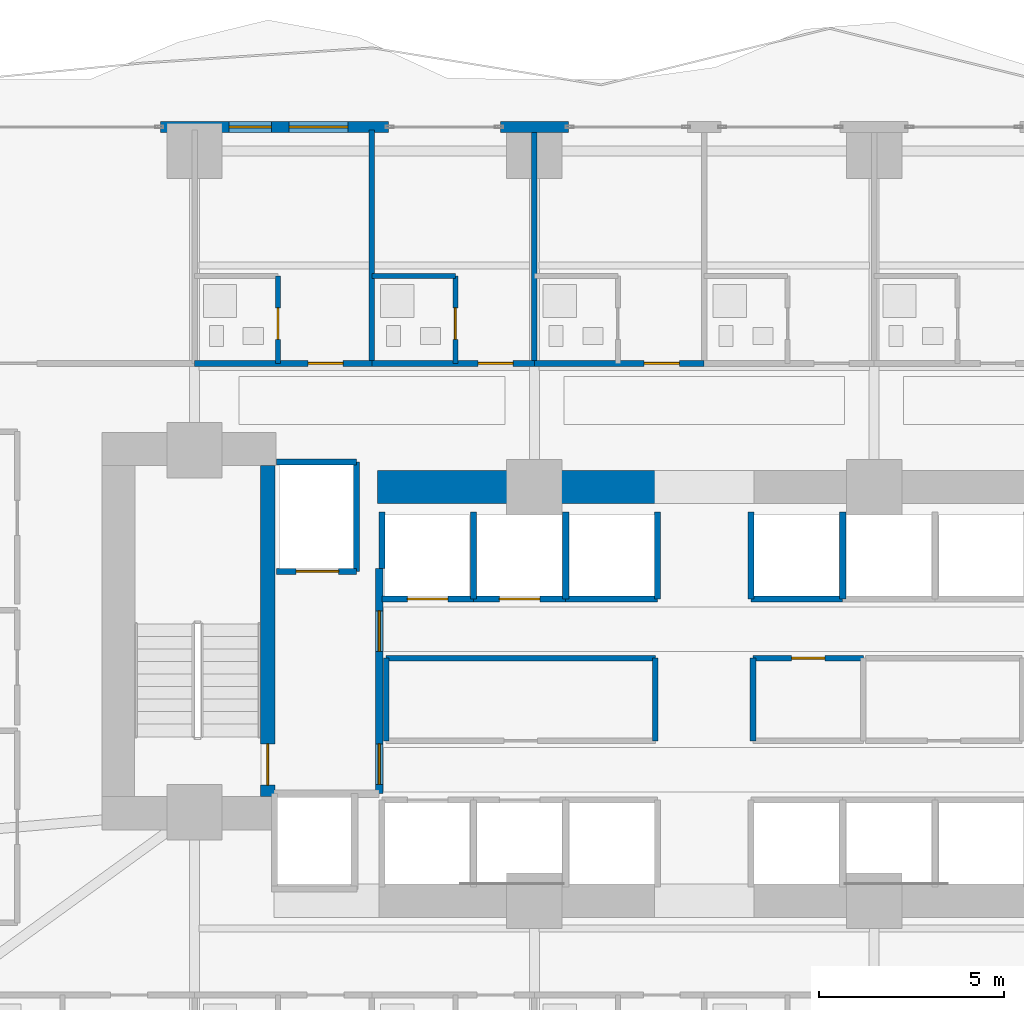
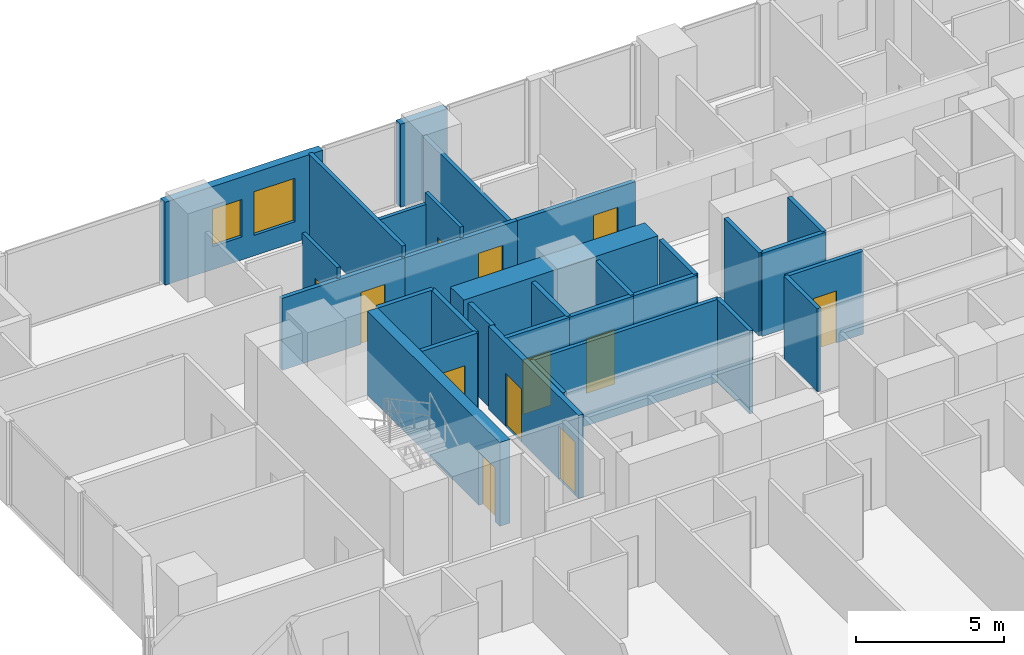
# One storey, part 22 of 29: 31 walls, 12 doors, 2 windows, 14 openings.
"""IFC4 building model written with IfcOpenShell, lengths in metres."""

from ifc_helpers import new_model, si_unit, direction, frame, frame_2d, origin, place, context, subcontext, project, spatial, rectangle, extrude, material, layer, layer_set, type_object, element, fill, save


model = new_model("IFC4")

# Units and contexts
model_context = context("Model", 3, precision=1e-05, world=origin(), true_north=direction((0.0, 1.0)))
body_context = subcontext(model_context, "Body", "Model", "MODEL_VIEW")
ifc_project = project(units=[si_unit("LENGTHUNIT", "METRE"), si_unit("AREAUNIT", "SQUARE_METRE"), si_unit("VOLUMEUNIT", "CUBIC_METRE"), si_unit("PLANEANGLEUNIT", "RADIAN"), si_unit("MASSUNIT", "GRAM", prefix="KILO")], contexts=[model_context])

# Site, building, storey
site_placement = place(None, origin())
site = spatial("IfcSite", under=ifc_project, at=site_placement, CompositionType="ELEMENT")
building_placement = place(site_placement, origin())
building = spatial("IfcBuilding", under=site, at=building_placement, Name="Zuhayl Quay Hotel", CompositionType="ELEMENT")
storey_placement = place(building_placement, frame((0.0, 0.0, 60.449951171875)))
storey = spatial("IfcBuildingStorey", under=building, at=storey_placement, Name="L14", CompositionType="ELEMENT", Elevation=60.449951171875)

# Wall
ifc_material_1 = material(Name="Concrete C70/85", Category="concrete")
ifc_layer_1 = layer(ifc_material_1, 0.89990234375, Name="Concrete C70/85", Category="concrete")
ifc_layer_set_1 = layer_set([ifc_layer_1], Name="Concrete C70/85")
wall_type_1 = type_object("IfcWallType", Name="WL_CORE_900", PredefinedType="SHEAR", material=ifc_layer_set_1)
wall_1_placement = place(storey_placement, frame((-8.85009765625, 13.35009765625, 0.0), z_axis=(0.0, 0.0, 1.0), x_axis=(1.0, 0.0, 0.0)))
element("IfcWall", 1, at=wall_1_placement, inside=storey, type_object=wall_type_1, Name="L14 Core Shear Wall CW_NC_W", PredefinedType="SHEAR", context=body_context, shape_type="SweptSolid", body=[
    extrude(rectangle(XDim=7.60009765625, YDim=0.89990234375, at=frame_2d((3.800048828125, 0.0))), origin(), (0.0, 0.0, 1.0), 3.429931640625),
])

# Wall, openings, windows
ifc_material_2 = material(Name="Precast concrete C45/55", Category="concrete")
ifc_layer_2 = layer(ifc_material_2, 0.300048828125, Name="Precast concrete C45/55", Category="concrete")
ifc_layer_set_2 = layer_set([ifc_layer_2], Name="Precast concrete C45/55")
wall_type_2 = type_object("IfcWallType", Name="WL_EXT_300", PredefinedType="STANDARD", material=ifc_layer_set_2)
wall_2_placement = place(storey_placement, frame((-14.719970703125, 23.10009765625, 0.0), z_axis=(0.0, 0.0, 1.0), x_axis=(1.0, 0.0, 0.0)))
wall_2 = element("IfcWall", 2, at=wall_2_placement, inside=storey, type_object=wall_type_2, Name="L14 Exterior Precast Wall ENV_L14_N_EW2", PredefinedType="STANDARD", context=body_context, shape_type="SweptSolid", body=[
    extrude(rectangle(XDim=6.169921875, YDim=0.300048828125, at=frame_2d((3.0849609375, 0.0))), origin(), (0.0, 0.0, 1.0), 3.429931640625),
])
opening_1_placement = place(wall_2_placement, frame((3.47998046875, 0.0, 0.85009765625)))
opening_1 = element("IfcOpeningElement", 3, at=opening_1_placement, cuts=wall_2, Name="Opening W01", PredefinedType="OPENING", context=body_context, shape_type="SweptSolid", body=[
    extrude(rectangle(XDim=1.60009765625, YDim=1.800048828125, at=frame_2d((0.800048828125, 0.89990234375))), frame((0.0, 0.159912109375, 0.0), z_axis=(0.0, -1.0, 0.0), x_axis=(1.0, 0.0, 0.0)), (0.0, 0.0, 1.0), 0.320068359375),
])
opening_2_placement = place(wall_2_placement, frame((1.85009765625, 0.0, 0.949951171875)))
opening_2 = element("IfcOpeningElement", 4, at=opening_2_placement, cuts=wall_2, Name="Opening W01N", PredefinedType="OPENING", context=body_context, shape_type="SweptSolid", body=[
    extrude(rectangle(XDim=1.14990234375, YDim=1.550048828125, at=frame_2d((0.574951171875, 0.77490234375))), frame((0.0, 0.159912109375, 0.0), z_axis=(0.0, -1.0, 0.0), x_axis=(1.0, 0.0, 0.0)), (0.0, 0.0, 1.0), 0.320068359375),
])
ifc_material_3 = material(Name="Dark Ceramic-Fritted Solar Glass", Category="glass")
window_type_1 = type_object("IfcWindowType", Name="WN_NOTCH_1350", PartitioningType="SINGLE_PANEL", PredefinedType="WINDOW", material=ifc_material_3)
window_1_placement = place(opening_2_placement, origin())
window_1 = element("IfcWindow", 5, at=window_1_placement, inside=storey, type_object=window_type_1, Name="L14 Operable Facade Window 2-1", OverallHeight=1.550048828125, OverallWidth=1.14990234375, PartitioningType="SINGLE_PANEL", PredefinedType="WINDOW", context=body_context, shape_type="SweptSolid", body=[
    extrude(rectangle(XDim=1.14990234375, YDim=1.550048828125, at=frame_2d((0.574951171875, 0.77490234375))), frame((0.0, 0.030029296875, 0.0), z_axis=(0.0, -1.0, 0.0), x_axis=(1.0, 0.0, 0.0)), (0.0, 0.0, 1.0), 0.06005859375),
])
fill(opening_2, window_1)
window_type_2 = type_object("IfcWindowType", Name="WN_OPERABLE_1600", PartitioningType="DOUBLE_PANEL_VERTICAL", PredefinedType="WINDOW", material=ifc_material_3)
window_2_placement = place(opening_1_placement, origin())
window_2 = element("IfcWindow", 6, at=window_2_placement, inside=storey, type_object=window_type_2, Name="L14 North Operable Casement Window", OverallHeight=1.800048828125, OverallWidth=1.60009765625, PartitioningType="SINGLE_PANEL", PredefinedType="WINDOW", context=body_context, shape_type="SweptSolid", body=[
    extrude(rectangle(XDim=1.60009765625, YDim=1.800048828125, at=frame_2d((0.800048828125, 0.89990234375))), frame((0.0, 0.030029296875, 0.0), z_axis=(0.0, -1.0, 0.0), x_axis=(1.0, 0.0, 0.0)), (0.0, 0.0, 1.0), 0.06005859375),
])
fill(opening_1, window_2)

# Wall
wall_3_placement = place(storey_placement, frame((-5.52001953125, 23.10009765625, 0.0), z_axis=(0.0, 0.0, 1.0), x_axis=(1.0, 0.0, 0.0)))
element("IfcWall", 7, at=wall_3_placement, inside=storey, type_object=wall_type_2, Name="L14 Exterior Precast Wall ENV_L14_N_EW3", PredefinedType="STANDARD", context=body_context, shape_type="SweptSolid", body=[
    extrude(rectangle(XDim=1.840087890625, YDim=0.300048828125, at=frame_2d((0.919921875, 0.0))), origin(), (0.0, 0.0, 1.0), 3.429931640625),
])

# Wall, opening, door
ifc_material_4 = material(Name="Acoustic Gypsum Partition STC-58")
ifc_layer_3 = layer(ifc_material_4, 0.14990234375, Name="Acoustic Gypsum Partition STC-58")
ifc_layer_set_3 = layer_set([ifc_layer_3], Name="Acoustic Gypsum Partition STC-58")
wall_type_3 = type_object("IfcWallType", Name="WL_PART_150", PredefinedType="PARTITIONING", material=ifc_layer_set_3)
wall_4_placement = place(storey_placement, frame((1.320068359375, 8.719970703125, 0.0), z_axis=(0.0, 0.0, 1.0), x_axis=(1.0, 0.0, 0.0)))
wall_4 = element("IfcWall", 8, at=wall_4_placement, inside=storey, type_object=wall_type_3, Name="L14 Partition IW_L14_CORE_IT_N", PredefinedType="PARTITIONING", context=body_context, shape_type="SweptSolid", body=[
    extrude(rectangle(XDim=2.989990234375, YDim=0.14990234375, at=frame_2d((1.4951171875, 0.0))), origin(), (0.0, 0.0, 1.0), 3.429931640625),
])
opening_3_placement = place(wall_4_placement, frame((1.044921875, 0.0, 0.0)))
opening_3 = element("IfcOpeningElement", 9, at=opening_3_placement, cuts=wall_4, Name="Opening D06", PredefinedType="OPENING", context=body_context, shape_type="SweptSolid", body=[
    extrude(rectangle(XDim=0.89990234375, YDim=2.14990234375, at=frame_2d((0.449951171875, 1.074951171875))), frame((0.0, 0.0849609375, 0.0), z_axis=(0.0, -1.0, 0.0), x_axis=(1.0, 0.0, 0.0)), (0.0, 0.0, 1.0), 0.169921875),
])
ifc_material_5 = material(Name="Steel ASTM A992 Grade 50", Category="steel")
door_type_1 = type_object("IfcDoorType", Name="DR_INT_900", OperationType="NOTDEFINED", PredefinedType="DOOR", material=ifc_material_5)
door_1_placement = place(opening_3_placement, origin())
door_1 = element("IfcDoor", 10, at=door_1_placement, inside=storey, type_object=door_type_1, Name="L14 Telecom Closet Door", OperationType="SINGLE_SWING_LEFT", OverallHeight=2.14990234375, OverallWidth=0.89990234375, PredefinedType="DOOR", context=body_context, shape_type="SweptSolid", body=[
    extrude(rectangle(XDim=0.89990234375, YDim=2.14990234375, at=frame_2d((0.449951171875, 1.074951171875))), frame((0.0, 0.02490234375, 0.0), z_axis=(0.0, -1.0, 0.0), x_axis=(1.0, 0.0, 0.0)), (0.0, 0.0, 1.0), 0.050048828125),
])
fill(opening_3, door_1)

# Walls
wall_5_placement = place(storey_placement, frame((-8.610107421875, 8.719970703125, 0.0), z_axis=(0.0, 0.0, 1.0), x_axis=(1.0, 0.0, 0.0)))
element("IfcWall", 11, at=wall_5_placement, inside=storey, type_object=wall_type_3, Name="L14 Partition IW_L14_CORE_EL_N", PredefinedType="PARTITIONING", context=body_context, shape_type="SweptSolid", body=[
    extrude(rectangle(XDim=7.2900390625, YDim=0.14990234375, at=frame_2d((3.64501953125, 0.0))), origin(), (0.0, 0.0, 1.0), 3.429931640625),
])
for number, where, z_axis, x_axis, name in (
    (12, (-8.610107421875, 6.47998046875, 0.0), (0.0, 0.0, 1.0), (0.0, 1.0, 0.0), "L14 Partition IW_L14_CORE_EL_W"),
    (13, (-1.320068359375, 6.47998046875, 0.0), (0.0, 0.0, 1.0), (0.0, 1.0, 0.0), "L14 Partition IW_L14_CORE_EL_E"),
    (14, (1.320068359375, 6.47998046875, 0.0), (0.0, 0.0, 1.0), (0.0, 1.0, 0.0), "L14 Partition IW_L14_CORE_IT_W"),
):
    element("IfcWall", number, at=place(storey_placement, frame(where, z_axis=z_axis, x_axis=x_axis)), inside=storey, type_object=wall_type_3, Name=name, PredefinedType="PARTITIONING", context=body_context, shape_type="SweptSolid", body=[
        extrude(rectangle(XDim=2.239990234375, YDim=0.14990234375, at=frame_2d((1.1201171875, 0.0))), origin(), (0.0, 0.0, 1.0), 3.429931640625),
    ])
wall_6_placement = place(storey_placement, frame((-9.0, 16.699951171875, 0.0), z_axis=(0.0, 0.0, 1.0), x_axis=(0.0, 1.0, 0.0)))
element("IfcWall", 15, at=wall_6_placement, inside=storey, type_object=wall_type_3, Name="L14 Partition IW_L14_NU02_E", PredefinedType="PARTITIONING", context=body_context, shape_type="SweptSolid", body=[
    extrude(rectangle(XDim=6.320068359375, YDim=0.14990234375, at=frame_2d((3.16015625, 0.0))), origin(), (0.0, 0.0, 1.0), 3.429931640625),
])
wall_7_placement = place(storey_placement, frame((-4.60009765625, 16.699951171875, 0.0), z_axis=(0.0, 0.0, 1.0), x_axis=(0.0, 1.0, 0.0)))
element("IfcWall", 16, at=wall_7_placement, inside=storey, type_object=wall_type_3, Name="L14 Partition IW_L14_NU03_E", PredefinedType="PARTITIONING", context=body_context, shape_type="SweptSolid", body=[
    extrude(rectangle(XDim=6.320068359375, YDim=0.14990234375, at=frame_2d((3.16015625, 0.0))), origin(), (0.0, 0.0, 1.0), 2.66796875),
])

# Wall, opening, door
ifc_layer_4 = layer(ifc_material_4, 0.159912109375, Name="Acoustic Gypsum Partition STC-58")
ifc_layer_set_4 = layer_set([ifc_layer_4], Name="Acoustic Gypsum Partition STC-58")
wall_type_4 = type_object("IfcWallType", Name="WL_PART_CORR_160", PredefinedType="PARTITIONING", material=ifc_layer_set_4)
wall_8_placement = place(storey_placement, frame((-13.800048828125, 16.699951171875, 0.0), z_axis=(0.0, 0.0, 1.0), x_axis=(1.0, 0.0, 0.0)))
wall_8 = element("IfcWall", 17, at=wall_8_placement, inside=storey, type_object=wall_type_4, Name="L14 Partition IW_L14_NU02_COR", PredefinedType="PARTITIONING", context=body_context, shape_type="SweptSolid", body=[
    extrude(rectangle(XDim=4.800048828125, YDim=0.159912109375, at=frame_2d((2.39990234375, 0.0))), origin(), (0.0, 0.0, 1.0), 2.97314453125),
])
opening_4_placement = place(wall_8_placement, frame((3.074951171875, 0.0, 0.0)))
opening_4 = element("IfcOpeningElement", 18, at=opening_4_placement, cuts=wall_8, Name="Opening D03", PredefinedType="OPENING", context=body_context, shape_type="SweptSolid", body=[
    extrude(rectangle(XDim=0.949951171875, YDim=2.14990234375, at=frame_2d((0.47509765625, 1.074951171875))), frame((0.0, 0.08984375, 0.0), z_axis=(0.0, -1.0, 0.0), x_axis=(1.0, 0.0, 0.0)), (0.0, 0.0, 1.0), 0.179931640625),
])
ifc_material_6 = material(Name="Solid Walnut Acoustic Fire Door")
door_type_2 = type_object("IfcDoorType", Name="DR_SUITE_950", OperationType="NOTDEFINED", PredefinedType="DOOR", material=ifc_material_6)
door_2_placement = place(opening_4_placement, origin())
door_2 = element("IfcDoor", 19, at=door_2_placement, inside=storey, type_object=door_type_2, Name="L14 Deluxe Gulf Guest Room L14-02 Entrance Door", OperationType="SINGLE_SWING_RIGHT", OverallHeight=2.14990234375, OverallWidth=0.949951171875, PredefinedType="DOOR", context=body_context, shape_type="SweptSolid", body=[
    extrude(rectangle(XDim=0.949951171875, YDim=2.14990234375, at=frame_2d((0.47509765625, 1.074951171875))), frame((0.0, 0.02490234375, 0.0), z_axis=(0.0, -1.0, 0.0), x_axis=(1.0, 0.0, 0.0)), (0.0, 0.0, 1.0), 0.050048828125),
])
fill(opening_4, door_2)

wall_9_placement = place(storey_placement, frame((-9.0, 16.699951171875, 0.0), z_axis=(0.0, 0.0, 1.0), x_axis=(1.0, 0.0, 0.0)))
wall_9 = element("IfcWall", 20, at=wall_9_placement, inside=storey, type_object=wall_type_4, Name="L14 Partition IW_L14_NU03_COR", PredefinedType="PARTITIONING", context=body_context, shape_type="SweptSolid", body=[
    extrude(rectangle(XDim=4.39990234375, YDim=0.159912109375, at=frame_2d((2.199951171875, 0.0))), origin(), (0.0, 0.0, 1.0), 2.97314453125),
])
opening_5_placement = place(wall_9_placement, frame((2.875, 0.0, 0.0)))
opening_5 = element("IfcOpeningElement", 21, at=opening_5_placement, cuts=wall_9, Name="Opening D03", PredefinedType="OPENING", context=body_context, shape_type="SweptSolid", body=[
    extrude(rectangle(XDim=0.949951171875, YDim=2.14990234375, at=frame_2d((0.47509765625, 1.074951171875))), frame((0.0, 0.08984375, 0.0), z_axis=(0.0, -1.0, 0.0), x_axis=(1.0, 0.0, 0.0)), (0.0, 0.0, 1.0), 0.179931640625),
])
door_3_placement = place(opening_5_placement, origin())
door_3 = element("IfcDoor", 22, at=door_3_placement, inside=storey, type_object=door_type_2, Name="L14 Deluxe Gulf Guest Room L14-03 Entrance Door", OperationType="SINGLE_SWING_RIGHT", OverallHeight=2.14990234375, OverallWidth=0.949951171875, PredefinedType="DOOR", context=body_context, shape_type="SweptSolid", body=[
    extrude(rectangle(XDim=0.949951171875, YDim=2.14990234375, at=frame_2d((0.47509765625, 1.074951171875))), frame((0.0, 0.02490234375, 0.0), z_axis=(0.0, -1.0, 0.0), x_axis=(1.0, 0.0, 0.0)), (0.0, 0.0, 1.0), 0.050048828125),
])
fill(opening_5, door_3)

wall_10_placement = place(storey_placement, frame((-4.60009765625, 16.699951171875, 0.0), z_axis=(0.0, 0.0, 1.0), x_axis=(1.0, 0.0, 0.0)))
wall_10 = element("IfcWall", 23, at=wall_10_placement, inside=storey, type_object=wall_type_4, Name="L14 Partition IW_L14_NU04_COR", PredefinedType="PARTITIONING", context=body_context, shape_type="SweptSolid", body=[
    extrude(rectangle(XDim=4.60009765625, YDim=0.159912109375, at=frame_2d((2.300048828125, 0.0))), origin(), (0.0, 0.0, 1.0), 2.97314453125),
])
opening_6_placement = place(wall_10_placement, frame((2.97509765625, 0.0, 0.0)))
opening_6 = element("IfcOpeningElement", 24, at=opening_6_placement, cuts=wall_10, Name="Opening D03", PredefinedType="OPENING", context=body_context, shape_type="SweptSolid", body=[
    extrude(rectangle(XDim=0.949951171875, YDim=2.14990234375, at=frame_2d((0.47509765625, 1.074951171875))), frame((0.0, 0.08984375, 0.0), z_axis=(0.0, -1.0, 0.0), x_axis=(1.0, 0.0, 0.0)), (0.0, 0.0, 1.0), 0.179931640625),
])
door_4_placement = place(opening_6_placement, origin())
door_4 = element("IfcDoor", 25, at=door_4_placement, inside=storey, type_object=door_type_2, Name="L14 Deluxe Gulf Guest Room L14-04 Entrance Door", OperationType="SINGLE_SWING_RIGHT", OverallHeight=2.14990234375, OverallWidth=0.949951171875, PredefinedType="DOOR", context=body_context, shape_type="SweptSolid", body=[
    extrude(rectangle(XDim=0.949951171875, YDim=2.14990234375, at=frame_2d((0.47509765625, 1.074951171875))), frame((0.0, 0.02490234375, 0.0), z_axis=(0.0, -1.0, 0.0), x_axis=(1.0, 0.0, 0.0)), (0.0, 0.0, 1.0), 0.050048828125),
])
fill(opening_6, door_4)

ifc_material_7 = material(Name="Moisture-Resistant Sanitarychase Gypsum")
ifc_layer_5 = layer(ifc_material_7, 0.135009765625, Name="Moisture-Resistant Sanitarychase Gypsum")
ifc_layer_set_5 = layer_set([ifc_layer_5], Name="Moisture-Resistant Sanitarychase Gypsum")
wall_type_5 = type_object("IfcWallType", Name="WL_PART_PLUMB_150", PredefinedType="PLUMBINGWALL", material=ifc_layer_set_5)
wall_11_placement = place(storey_placement, frame((-11.5400390625, 16.699951171875, 0.0), z_axis=(0.0, 0.0, 1.0), x_axis=(0.0, 1.0, 0.0)))
wall_11 = element("IfcWall", 26, at=wall_11_placement, inside=storey, type_object=wall_type_5, Name="L14 Partition IW_L14_NU02_BE", PredefinedType="PLUMBINGWALL", context=body_context, shape_type="SweptSolid", body=[
    extrude(rectangle(XDim=2.360107421875, YDim=0.135009765625, at=frame_2d((1.18017578125, 0.0))), origin(), (0.0, 0.0, 1.0), 3.429931640625),
])
opening_7_placement = place(wall_11_placement, frame((0.64990234375, 0.0, 0.0)))
opening_7 = element("IfcOpeningElement", 27, at=opening_7_placement, cuts=wall_11, Name="Opening D04", PredefinedType="OPENING", context=body_context, shape_type="SweptSolid", body=[
    extrude(rectangle(XDim=0.85009765625, YDim=2.10009765625, at=frame_2d((0.425048828125, 1.050048828125))), frame((0.0, 0.077392578125, 0.0), z_axis=(0.0, -1.0, 0.0), x_axis=(1.0, 0.0, 0.0)), (0.0, 0.0, 1.0), 0.155029296875),
])
ifc_material_8 = material(Name="Moisture-Resistant Walnut Veneer")
door_type_3 = type_object("IfcDoorType", Name="DR_BATH_850", OperationType="NOTDEFINED", PredefinedType="DOOR", material=ifc_material_8)
door_5_placement = place(opening_7_placement, origin())
door_5 = element("IfcDoor", 28, at=door_5_placement, inside=storey, type_object=door_type_3, Name="L14 Deluxe Gulf Guest Room L14-02 En-Suite Door", OperationType="SINGLE_SWING_LEFT", OverallHeight=2.10009765625, OverallWidth=0.85009765625, PredefinedType="DOOR", context=body_context, shape_type="SweptSolid", body=[
    extrude(rectangle(XDim=0.85009765625, YDim=2.10009765625, at=frame_2d((0.425048828125, 1.050048828125))), frame((0.0, 0.02490234375, 0.0), z_axis=(0.0, -1.0, 0.0), x_axis=(1.0, 0.0, 0.0)), (0.0, 0.0, 1.0), 0.050048828125),
])
fill(opening_7, door_5)

wall_12_placement = place(storey_placement, frame((-6.739990234375, 16.699951171875, 0.0), z_axis=(0.0, 0.0, 1.0), x_axis=(0.0, 1.0, 0.0)))
wall_12 = element("IfcWall", 29, at=wall_12_placement, inside=storey, type_object=wall_type_5, Name="L14 Partition IW_L14_NU03_BE", PredefinedType="PLUMBINGWALL", context=body_context, shape_type="SweptSolid", body=[
    extrude(rectangle(XDim=2.360107421875, YDim=0.135009765625, at=frame_2d((1.18017578125, 0.0))), origin(), (0.0, 0.0, 1.0), 3.429931640625),
])
opening_8_placement = place(wall_12_placement, frame((0.64990234375, 0.0, 0.0)))
opening_8 = element("IfcOpeningElement", 30, at=opening_8_placement, cuts=wall_12, Name="Opening D04", PredefinedType="OPENING", context=body_context, shape_type="SweptSolid", body=[
    extrude(rectangle(XDim=0.85009765625, YDim=2.10009765625, at=frame_2d((0.425048828125, 1.050048828125))), frame((0.0, 0.077392578125, 0.0), z_axis=(0.0, -1.0, 0.0), x_axis=(1.0, 0.0, 0.0)), (0.0, 0.0, 1.0), 0.155029296875),
])
door_6_placement = place(opening_8_placement, origin())
door_6 = element("IfcDoor", 31, at=door_6_placement, inside=storey, type_object=door_type_3, Name="L14 Deluxe Gulf Guest Room L14-03 En-Suite Door", OperationType="SINGLE_SWING_LEFT", OverallHeight=2.10009765625, OverallWidth=0.85009765625, PredefinedType="DOOR", context=body_context, shape_type="SweptSolid", body=[
    extrude(rectangle(XDim=0.85009765625, YDim=2.10009765625, at=frame_2d((0.425048828125, 1.050048828125))), frame((0.0, 0.02490234375, 0.0), z_axis=(0.0, -1.0, 0.0), x_axis=(1.0, 0.0, 0.0)), (0.0, 0.0, 1.0), 0.050048828125),
])
fill(opening_8, door_6)

# Wall
wall_13_placement = place(storey_placement, frame((-9.0, 19.06005859375, 0.0), z_axis=(0.0, 0.0, 1.0), x_axis=(1.0, 0.0, 0.0)))
element("IfcWall", 32, at=wall_13_placement, inside=storey, type_object=wall_type_5, Name="L14 Partition IW_L14_NU03_BN", PredefinedType="PLUMBINGWALL", context=body_context, shape_type="SweptSolid", body=[
    extrude(rectangle(XDim=2.260009765625, YDim=0.135009765625, at=frame_2d((1.1298828125, 0.0))), origin(), (0.0, 0.0, 1.0), 2.97314453125),
])

# Wall, opening, door
ifc_material_9 = material(Name="Gypsum Fireboard Assembly EI-90")
ifc_layer_6 = layer(ifc_material_9, 0.1650390625, Name="Gypsum Fireboard Assembly EI-90")
ifc_layer_set_6 = layer_set([ifc_layer_6], Name="Gypsum Fireboard Assembly EI-90")
wall_type_6 = type_object("IfcWallType", Name="WL_PART_SHAFT_160", PredefinedType="PARTITIONING", material=ifc_layer_set_6)
wall_14_placement = place(storey_placement, frame((-11.580078125, 11.070068359375, 0.0), z_axis=(0.0, 0.0, 1.0), x_axis=(1.0, 0.0, 0.0)))
wall_14 = element("IfcWall", 33, at=wall_14_placement, inside=storey, type_object=wall_type_6, Name="L14 Partition IW_L14_SH_FL1_F", PredefinedType="PARTITIONING", context=body_context, shape_type="SweptSolid", body=[
    extrude(rectangle(XDim=2.16015625, YDim=0.1650390625, at=frame_2d((1.080078125, 0.0))), origin(), (0.0, 0.0, 1.0), 3.429931640625),
])
opening_9_placement = place(wall_14_placement, frame((0.530029296875, 0.0, 0.0)))
opening_9 = element("IfcOpeningElement", 34, at=opening_9_placement, cuts=wall_14, Name="Opening LD2", PredefinedType="OPENING", context=body_context, shape_type="SweptSolid", body=[
    extrude(rectangle(XDim=1.14990234375, YDim=2.25, at=frame_2d((0.574951171875, 1.125))), frame((0.0, 0.092529296875, 0.0), z_axis=(0.0, -1.0, 0.0), x_axis=(1.0, 0.0, 0.0)), (0.0, 0.0, 1.0), 0.18505859375),
])
ifc_material_10 = material(Name="Brushed Stainless Steel", Category="steel")
door_type_4 = type_object("IfcDoorType", Name="DR_LIFT_FF_1100", OperationType="SLIDING_TO_LEFT", PredefinedType="DOOR", material=ifc_material_10)
door_7_placement = place(opening_9_placement, origin())
door_7 = element("IfcDoor", 35, at=door_7_placement, inside=storey, type_object=door_type_4, Name="L14 Lift FL1 Sliding Landing Door", OperationType="SLIDING_TO_LEFT", OverallHeight=2.25, OverallWidth=1.14990234375, PredefinedType="DOOR", context=body_context, shape_type="SweptSolid", body=[
    extrude(rectangle(XDim=1.14990234375, YDim=2.25, at=frame_2d((0.574951171875, 1.125))), frame((0.0, 0.02490234375, 0.0), z_axis=(0.0, -1.0, 0.0), x_axis=(1.0, 0.0, 0.0)), (0.0, 0.0, 1.0), 0.050048828125),
])
fill(opening_9, door_7)

wall_15_placement = place(storey_placement, frame((-8.72998046875, 10.320068359375, 0.0), z_axis=(0.0, 0.0, 1.0), x_axis=(1.0, 0.0, 0.0)))
wall_15 = element("IfcWall", 36, at=wall_15_placement, inside=storey, type_object=wall_type_6, Name="L14 Partition IW_L14_SH_LP3_F", PredefinedType="PARTITIONING", context=body_context, shape_type="SweptSolid", body=[
    extrude(rectangle(XDim=2.47998046875, YDim=0.1650390625, at=frame_2d((1.239990234375, 0.0))), origin(), (0.0, 0.0, 1.0), 3.429931640625),
])
opening_10_placement = place(wall_15_placement, frame((0.68994140625, 0.0, 0.0)))
opening_10 = element("IfcOpeningElement", 37, at=opening_10_placement, cuts=wall_15, Name="Opening LD1", PredefinedType="OPENING", context=body_context, shape_type="SweptSolid", body=[
    extrude(rectangle(XDim=1.10009765625, YDim=2.25, at=frame_2d((0.550048828125, 1.125))), frame((0.0, 0.092529296875, 0.0), z_axis=(0.0, -1.0, 0.0), x_axis=(1.0, 0.0, 0.0)), (0.0, 0.0, 1.0), 0.18505859375),
])
door_type_5 = type_object("IfcDoorType", Name="DR_LIFT_PASS_1100", OperationType="SLIDING_TO_LEFT", PredefinedType="DOOR", material=ifc_material_10)
door_8_placement = place(opening_10_placement, origin())
door_8 = element("IfcDoor", 38, at=door_8_placement, inside=storey, type_object=door_type_5, Name="L14 Lift LP3 Sliding Landing Door", OperationType="SLIDING_TO_LEFT", OverallHeight=2.25, OverallWidth=1.10009765625, PredefinedType="DOOR", context=body_context, shape_type="SweptSolid", body=[
    extrude(rectangle(XDim=1.10009765625, YDim=2.25, at=frame_2d((0.550048828125, 1.125))), frame((0.0, 0.02490234375, 0.0), z_axis=(0.0, -1.0, 0.0), x_axis=(1.0, 0.0, 0.0)), (0.0, 0.0, 1.0), 0.050048828125),
])
fill(opening_10, door_8)

wall_16_placement = place(storey_placement, frame((-6.25, 10.320068359375, 0.0), z_axis=(0.0, 0.0, 1.0), x_axis=(1.0, 0.0, 0.0)))
wall_16 = element("IfcWall", 39, at=wall_16_placement, inside=storey, type_object=wall_type_6, Name="L14 Partition IW_L14_SH_LP4_F", PredefinedType="PARTITIONING", context=body_context, shape_type="SweptSolid", body=[
    extrude(rectangle(XDim=2.5, YDim=0.1650390625, at=frame_2d((1.25, 0.0))), origin(), (0.0, 0.0, 1.0), 3.429931640625),
])
opening_11_placement = place(wall_16_placement, frame((0.699951171875, 0.0, 0.0)))
opening_11 = element("IfcOpeningElement", 40, at=opening_11_placement, cuts=wall_16, Name="Opening LD1", PredefinedType="OPENING", context=body_context, shape_type="SweptSolid", body=[
    extrude(rectangle(XDim=1.10009765625, YDim=2.25, at=frame_2d((0.550048828125, 1.125))), frame((0.0, 0.092529296875, 0.0), z_axis=(0.0, -1.0, 0.0), x_axis=(1.0, 0.0, 0.0)), (0.0, 0.0, 1.0), 0.18505859375),
])
door_9_placement = place(opening_11_placement, origin())
door_9 = element("IfcDoor", 41, at=door_9_placement, inside=storey, type_object=door_type_5, Name="L14 Lift LP4 Sliding Landing Door", OperationType="SLIDING_TO_LEFT", OverallHeight=2.25, OverallWidth=1.10009765625, PredefinedType="DOOR", context=body_context, shape_type="SweptSolid", body=[
    extrude(rectangle(XDim=1.10009765625, YDim=2.25, at=frame_2d((0.550048828125, 1.125))), frame((0.0, 0.02490234375, 0.0), z_axis=(0.0, -1.0, 0.0), x_axis=(1.0, 0.0, 0.0)), (0.0, 0.0, 1.0), 0.050048828125),
])
fill(opening_11, door_9)

# Walls
wall_17_placement = place(storey_placement, frame((-9.419921875, 11.070068359375, 0.0), z_axis=(0.0, 0.0, 1.0), x_axis=(0.0, 1.0, 0.0)))
element("IfcWall", 42, at=wall_17_placement, inside=storey, type_object=wall_type_6, Name="L14 Partition IW_L14_SH_FL1_E", PredefinedType="PARTITIONING", context=body_context, shape_type="SweptSolid", body=[
    extrude(rectangle(XDim=2.9599609375, YDim=0.1650390625, at=frame_2d((1.47998046875, 0.0))), origin(), (0.0, 0.0, 1.0), 3.429931640625),
])
wall_18_placement = place(storey_placement, frame((-11.580078125, 14.030029296875, 0.0), z_axis=(0.0, 0.0, 1.0), x_axis=(1.0, 0.0, 0.0)))
element("IfcWall", 43, at=wall_18_placement, inside=storey, type_object=wall_type_6, Name="L14 Partition IW_L14_SH_FL1_B", PredefinedType="PARTITIONING", context=body_context, shape_type="SweptSolid", body=[
    extrude(rectangle(XDim=2.16015625, YDim=0.1650390625, at=frame_2d((1.080078125, 0.0))), origin(), (0.0, 0.0, 1.0), 3.429931640625),
])
wall_19_placement = place(storey_placement, frame((-8.72998046875, 11.14990234375, 0.0), z_axis=(0.0, 0.0, 1.0), x_axis=(0.0, 1.0, 0.0)))
element("IfcWall", 44, at=wall_19_placement, inside=storey, type_object=wall_type_6, Name="L14 Partition IW_L14_SH_LP3_W", PredefinedType="PARTITIONING", context=body_context, shape_type="SweptSolid", body=[
    extrude(rectangle(XDim=1.530029296875, YDim=0.1650390625, at=frame_2d((0.76513671875, 0.0))), origin(), (0.0, 0.0, 1.0), 3.429931640625),
])
for number, where, z_axis, x_axis, name in (
    (45, (-6.25, 10.320068359375, 0.0), (0.0, 0.0, 1.0), (0.0, 1.0, 0.0), "L14 Partition IW_L14_SH_LP3_E"),
    (46, (-3.75, 10.320068359375, 0.0), (0.0, 0.0, 1.0), (0.0, 1.0, 0.0), "L14 Partition IW_L14_SH_LP4_E"),
):
    element("IfcWall", number, at=place(storey_placement, frame(where, z_axis=z_axis, x_axis=x_axis)), inside=storey, type_object=wall_type_6, Name=name, PredefinedType="PARTITIONING", context=body_context, shape_type="SweptSolid", body=[
        extrude(rectangle(XDim=2.35986328125, YDim=0.1650390625, at=frame_2d((1.179931640625, 0.0))), origin(), (0.0, 0.0, 1.0), 3.429931640625),
    ])
wall_20_placement = place(storey_placement, frame((-3.75, 10.320068359375, 0.0), z_axis=(0.0, 0.0, 1.0), x_axis=(1.0, 0.0, 0.0)))
element("IfcWall", 47, at=wall_20_placement, inside=storey, type_object=wall_type_6, Name="L14 Partition IW_L14_SH_MP3_F", PredefinedType="PARTITIONING", context=body_context, shape_type="SweptSolid", body=[
    extrude(rectangle(XDim=2.47998046875, YDim=0.1650390625, at=frame_2d((1.239990234375, 0.0))), origin(), (0.0, 0.0, 1.0), 3.429931640625),
])
wall_21_placement = place(storey_placement, frame((-1.27001953125, 10.320068359375, 0.0), z_axis=(0.0, 0.0, 1.0), x_axis=(0.0, 1.0, 0.0)))
element("IfcWall", 48, at=wall_21_placement, inside=storey, type_object=wall_type_6, Name="L14 Partition IW_L14_SH_MP3_E", PredefinedType="PARTITIONING", context=body_context, shape_type="SweptSolid", body=[
    extrude(rectangle(XDim=2.35986328125, YDim=0.1650390625, at=frame_2d((1.179931640625, 0.0))), origin(), (0.0, 0.0, 1.0), 3.429931640625),
])
wall_22_placement = place(storey_placement, frame((1.27001953125, 10.320068359375, 0.0), z_axis=(0.0, 0.0, 1.0), x_axis=(1.0, 0.0, 0.0)))
element("IfcWall", 49, at=wall_22_placement, inside=storey, type_object=wall_type_6, Name="L14 Partition IW_L14_SH_MP4_F", PredefinedType="PARTITIONING", context=body_context, shape_type="SweptSolid", body=[
    extrude(rectangle(XDim=2.47998046875, YDim=0.1650390625, at=frame_2d((1.239990234375, 0.0))), origin(), (0.0, 0.0, 1.0), 3.429931640625),
])
for number, where, z_axis, x_axis, name in (
    (50, (1.27001953125, 10.320068359375, 0.0), (0.0, 0.0, 1.0), (0.0, 1.0, 0.0), "L14 Partition IW_L14_SH_MP4_W"),
    (51, (3.75, 10.320068359375, 0.0), (0.0, 0.0, 1.0), (0.0, 1.0, 0.0), "L14 Partition IW_L14_SH_MP4_E"),
):
    element("IfcWall", number, at=place(storey_placement, frame(where, z_axis=z_axis, x_axis=x_axis)), inside=storey, type_object=wall_type_6, Name=name, PredefinedType="PARTITIONING", context=body_context, shape_type="SweptSolid", body=[
        extrude(rectangle(XDim=2.35986328125, YDim=0.1650390625, at=frame_2d((1.179931640625, 0.0))), origin(), (0.0, 0.0, 1.0), 3.429931640625),
    ])

# Wall, openings, doors
ifc_material_11 = material(Name="Gypsum Fireboard Assembly EI-120")
ifc_layer_7 = layer(ifc_material_11, 0.199951171875, Name="Gypsum Fireboard Assembly EI-120")
ifc_layer_set_7 = layer_set([ifc_layer_7], Name="Gypsum Fireboard Assembly EI-120")
wall_type_7 = type_object("IfcWallType", Name="WL_PART_SHAFT_200", PredefinedType="PARTITIONING", material=ifc_layer_set_7)
wall_23_placement = place(storey_placement, frame((-8.800048828125, 5.050048828125, 0.0), z_axis=(0.0, 0.0, 1.0), x_axis=(0.0, 1.0, 0.0)))
wall_23 = element("IfcWall", 52, at=wall_23_placement, inside=storey, type_object=wall_type_7, Name="L14 Partition IW_L14_FSAE_W_E", PredefinedType="PARTITIONING", context=body_context, shape_type="SweptSolid", body=[
    extrude(rectangle(XDim=6.099853515625, YDim=0.199951171875, at=frame_2d((3.0498046875, 0.0))), origin(), (0.0, 0.0, 1.0), 3.429931640625),
])
opening_12_placement = place(wall_23_placement, frame((0.25, 0.0, 0.0)))
opening_12 = element("IfcOpeningElement", 53, at=opening_12_placement, cuts=wall_23, Name="Opening D02", PredefinedType="OPENING", context=body_context, shape_type="SweptSolid", body=[
    extrude(rectangle(XDim=1.10009765625, YDim=2.199951171875, at=frame_2d((0.550048828125, 1.10009765625))), frame((0.0, 0.10986328125, 0.0), z_axis=(0.0, -1.0, 0.0), x_axis=(1.0, 0.0, 0.0)), (0.0, 0.0, 1.0), 0.219970703125),
])
opening_13_placement = place(wall_23_placement, frame((3.85009765625, 0.0, 0.0)))
opening_13 = element("IfcOpeningElement", 54, at=opening_13_placement, cuts=wall_23, Name="Opening D02", PredefinedType="OPENING", context=body_context, shape_type="SweptSolid", body=[
    extrude(rectangle(XDim=1.10009765625, YDim=2.199951171875, at=frame_2d((0.550048828125, 1.10009765625))), frame((0.0, 0.10986328125, 0.0), z_axis=(0.0, -1.0, 0.0), x_axis=(1.0, 0.0, 0.0)), (0.0, 0.0, 1.0), 0.219970703125),
])
door_type_6 = type_object("IfcDoorType", Name="DR_FIRE_90_1100", OperationType="NOTDEFINED", PredefinedType="DOOR", material=ifc_material_5)
door_10_placement = place(opening_12_placement, origin())
door_10 = element("IfcDoor", 55, at=door_10_placement, inside=storey, type_object=door_type_6, Name="L14 FSAE Lobby West South Entry Door", OperationType="SINGLE_SWING_RIGHT", OverallHeight=2.199951171875, OverallWidth=1.10009765625, PredefinedType="DOOR", context=body_context, shape_type="SweptSolid", body=[
    extrude(rectangle(XDim=1.10009765625, YDim=2.199951171875, at=frame_2d((0.550048828125, 1.10009765625))), frame((0.0, 0.02490234375, 0.0), z_axis=(0.0, -1.0, 0.0), x_axis=(1.0, 0.0, 0.0)), (0.0, 0.0, 1.0), 0.050048828125),
])
fill(opening_12, door_10)
door_11_placement = place(opening_13_placement, origin())
door_11 = element("IfcDoor", 56, at=door_11_placement, inside=storey, type_object=door_type_6, Name="L14 FSAE Lobby West North Entry Door", OperationType="SINGLE_SWING_LEFT", OverallHeight=2.199951171875, OverallWidth=1.10009765625, PredefinedType="DOOR", context=body_context, shape_type="SweptSolid", body=[
    extrude(rectangle(XDim=1.10009765625, YDim=2.199951171875, at=frame_2d((0.550048828125, 1.10009765625))), frame((0.0, 0.02490234375, 0.0), z_axis=(0.0, -1.0, 0.0), x_axis=(1.0, 0.0, 0.0)), (0.0, 0.0, 1.0), 0.050048828125),
])
fill(opening_13, door_11)

# Wall, opening, door
ifc_material_12 = material(Name="Concrete C60/75", Category="concrete")
ifc_layer_8 = layer(ifc_material_12, 0.39990234375, Name="Concrete C60/75", Category="concrete")
ifc_layer_set_8 = layer_set([ifc_layer_8], Name="Concrete C60/75")
wall_type_8 = type_object("IfcWallType", Name="WL_STAIR_400", PredefinedType="SHEAR", material=ifc_layer_set_8)
wall_24_placement = place(storey_placement, frame((-11.820068359375, 4.969970703125, 0.0), z_axis=(0.0, 0.0, 1.0), x_axis=(0.0, 1.0, 0.0)))
wall_24 = element("IfcWall", 57, at=wall_24_placement, inside=storey, type_object=wall_type_8, Name="L14 Core Shear Wall SW_ST1", PredefinedType="SHEAR", context=body_context, shape_type="SweptSolid", body=[
    extrude(rectangle(XDim=8.9599609375, YDim=0.39990234375, at=frame_2d((4.47998046875, 0.0))), origin(), (0.0, 0.0, 1.0), 3.4599609375),
])
opening_14_placement = place(wall_24_placement, frame((0.31005859375, 0.0, 0.0)))
opening_14 = element("IfcOpeningElement", 58, at=opening_14_placement, cuts=wall_24, Name="Opening D01", PredefinedType="OPENING", context=body_context, shape_type="SweptSolid", body=[
    extrude(rectangle(XDim=1.1201171875, YDim=2.219970703125, at=frame_2d((0.56005859375, 1.10986328125))), frame((0.0, 0.2099609375, 0.0), z_axis=(0.0, -1.0, 0.0), x_axis=(1.0, 0.0, 0.0)), (0.0, 0.0, 1.0), 0.419921875),
])
door_type_7 = type_object("IfcDoorType", Name="DR_STAIR_90_1100", OperationType="NOTDEFINED", PredefinedType="DOOR", material=ifc_material_5)
door_12_placement = place(opening_14_placement, origin())
door_12 = element("IfcDoor", 59, at=door_12_placement, inside=storey, type_object=door_type_7, Name="L14 Smokeproof Exit Stair ST1 Door", OperationType="SINGLE_SWING_LEFT", OverallHeight=2.219970703125, OverallWidth=1.1201171875, PredefinedType="DOOR", context=body_context, shape_type="SweptSolid", body=[
    extrude(rectangle(XDim=1.1201171875, YDim=2.219970703125, at=frame_2d((0.56005859375, 1.10986328125))), frame((0.0, 0.02490234375, 0.0), z_axis=(0.0, -1.0, 0.0), x_axis=(1.0, 0.0, 0.0)), (0.0, 0.0, 1.0), 0.050048828125),
])
fill(opening_14, door_12)

save(model, "model.ifc")
